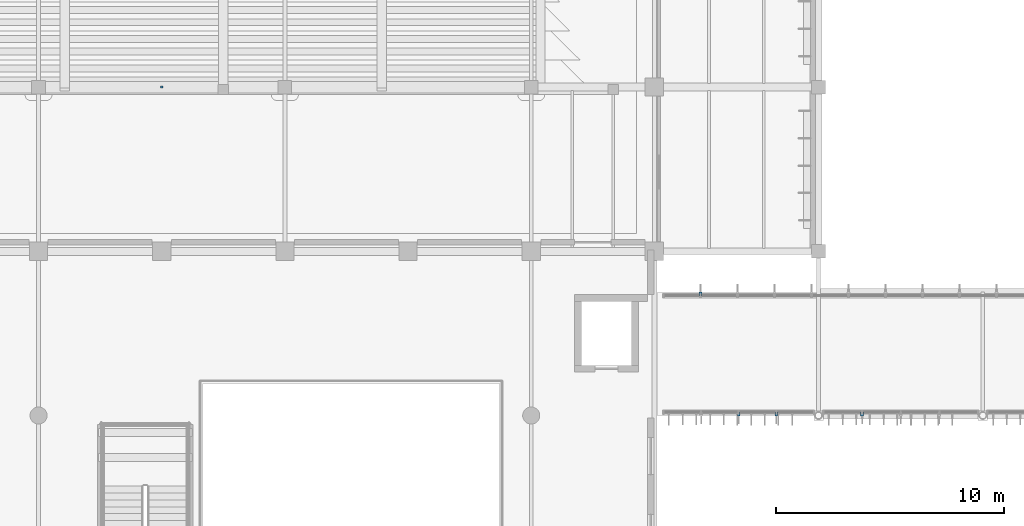
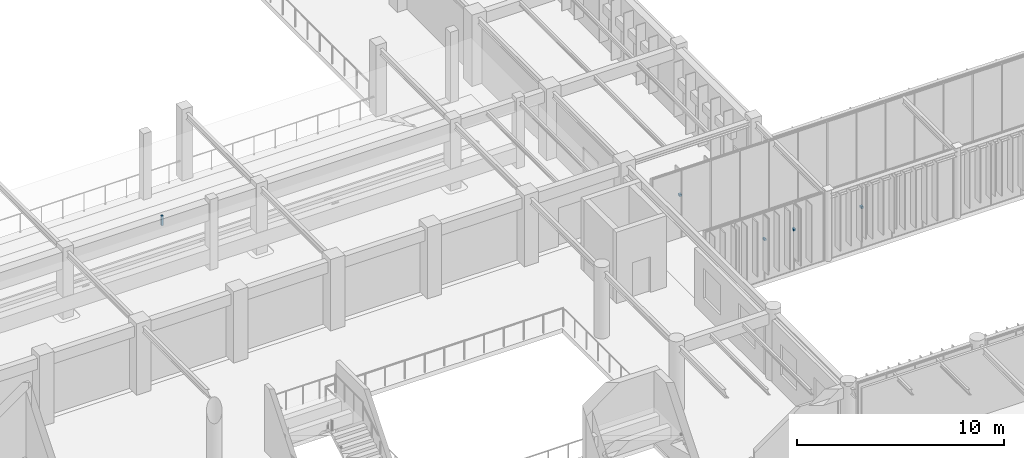
# One storey, part 55 of 122: 5 discrete accessories.
"""IFC4 building model written with IfcOpenShell, lengths in metres."""

from ifc_helpers import new_model, si_unit, direction, frame, origin, origin_2d, place, context, subcontext, project, spatial, rectangle, extrude, material, type_object, element, save


model = new_model("IFC4")

# Units and contexts
model_context = context("Model", 3, precision=1e-05, world=origin(), true_north=direction((0.0, 1.0)))
body_context = subcontext(model_context, "Body", "Model", "MODEL_VIEW")
ifc_project = project(units=[si_unit("LENGTHUNIT", "METRE"), si_unit("AREAUNIT", "SQUARE_METRE"), si_unit("VOLUMEUNIT", "CUBIC_METRE"), si_unit("PLANEANGLEUNIT", "RADIAN"), si_unit("MASSUNIT", "GRAM", prefix="KILO")], contexts=[model_context])

# Site, building, storey
site_placement = place(None, origin())
site = spatial("IfcSite", under=ifc_project, at=site_placement, CompositionType="ELEMENT")
building_placement = place(site_placement, origin())
building = spatial("IfcBuilding", under=site, at=building_placement, Name="Tazoul Stagehouse", CompositionType="ELEMENT")
storey_placement = place(building_placement, frame((0.0, 0.0, 4.800048828125)))
storey = spatial("IfcBuildingStorey", under=building, at=storey_placement, Name="L01", CompositionType="ELEMENT", Elevation=4.800048828125)

# Discrete accessories
ifc_material = material(Name="Austenitic Stainless Steel EN 1.4401", Category="steel")
discrete_accessory_type_1 = type_object("IfcDiscreteAccessoryType", Name="Interior Acoustic Hanger Bracket", PredefinedType="BRACKET", material=ifc_material)
discrete_accessory_placement = place(storey_placement, frame((73.800048828125, 59.0, 3.3798828125), z_axis=(0.0, 0.0, 1.0), x_axis=(1.0, 0.0, 0.0)))
element("IfcDiscreteAccessory", 1, at=discrete_accessory_placement, inside=storey, type_object=discrete_accessory_type_1, Name="L01 Dress Circle Tier and Side Boxes Ceiling Suspension Bracket", PredefinedType="BRACKET", context=body_context, shape_type="SweptSolid", body=[
    extrude(rectangle(XDim=0.10009765625, YDim=0.10009765625, at=origin_2d()), origin(), (0.0, 0.0, 1.0), 0.590087890625),
])
discrete_accessory_type_2 = type_object("IfcDiscreteAccessoryType", Name="Stainless Steel Louvre Support Cleat Bracket", PredefinedType="BRACKET", material=ifc_material)
for number, where, z_axis, x_axis, name in (
    (2, (99.093994140625, 44.669921875, 2.3486328125), (0.0, 0.0, 1.0), (1.0, 0.0, 0.0), "Cleat Bracket BRK-01 CW-ELNK-S-L01-B1-BRK02"),
    (3, (100.740966796875, 44.669921875, 2.3486328125), (0.0, 0.0, 1.0), (1.0, 0.0, 0.0), "Cleat Bracket BRK-01 CW-ELNK-S-L01-B1-BRK03"),
    (4, (104.505859375, 44.669921875, 2.3486328125), (0.0, 0.0, 1.0), (1.0, 0.0, 0.0), "Cleat Bracket BRK-01 CW-ELNK-S-L01-B2-BRK01"),
    (5, (97.422119140625, 49.929931640625, 2.3486328125), (0.0, 0.0, 1.0), (1.0, 0.0, 0.0), "Cleat Bracket BRK-01 CW-ELNK-N-L01-BRK01"),
):
    element("IfcDiscreteAccessory", number, at=place(storey_placement, frame(where, z_axis=z_axis, x_axis=x_axis)), inside=storey, type_object=discrete_accessory_type_2, Name=name, PredefinedType="BRACKET", context=body_context, shape_type="SweptSolid", body=[
        extrude(rectangle(XDim=0.1201171875, YDim=0.159912109375, at=origin_2d()), origin(), (0.0, 0.0, 1.0), 0.1201171875),
    ])

save(model, "model.ifc")
